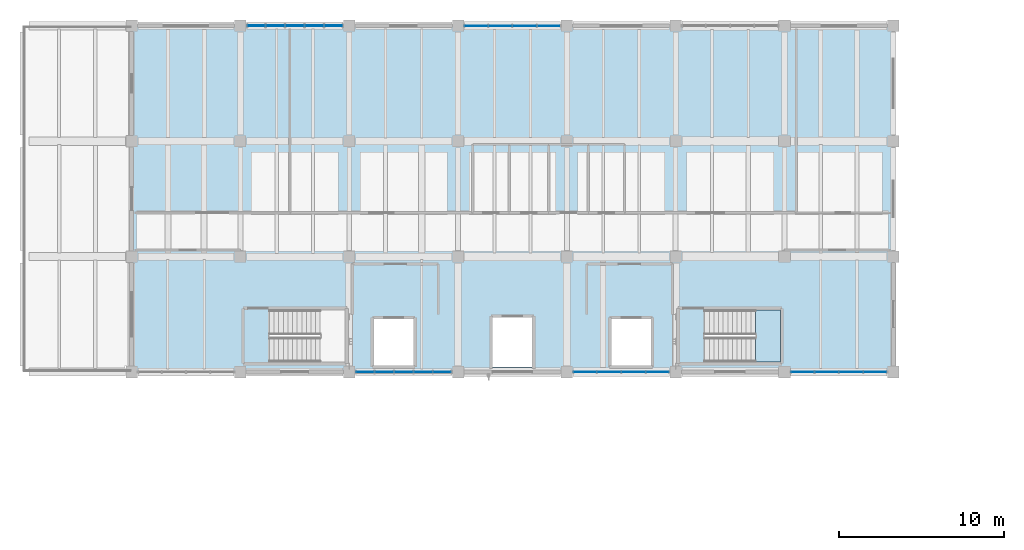
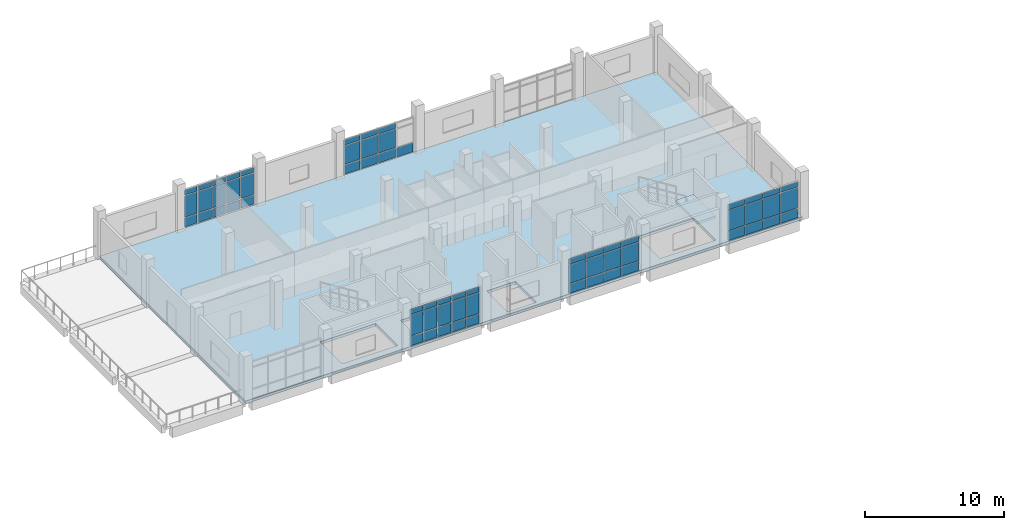
# One storey, part 9 of 20: 64 plates, 2 slabs, 6 elements without a shape of their own.
"""IFC4 building model written with IfcOpenShell, lengths in metres."""

import ifcopenshell
import ifcopenshell.guid

model = None  # the IFC model being written
_history = None  # IfcOwnerHistory: only IFC2X3 demands one
_inside = {}  # id of a spatial element -> (the spatial element, [elements in it])
_under = {}  # id of a project, library or spatial element -> (it, [spatial elements below it])
_declared = {}  # id of a project -> (the project, [libraries it declares])
_typed = {}  # id of a type object -> (the type object, [elements of that type])
_made_of = {}  # id of a material, layer set ... -> (it, [elements and type objects made of it])


def new_model(schema):
    """Start an empty IFC model of exactly this schema.

    Asked for "IFC4X3", IfcOpenShell would pick the latest addendum, in which some entities
    have other attributes; the version numbers below select the first issue.
    IFC2X3 requires an IfcOwnerHistory on every rooted entity: one is made here for all.
    """
    global model, _history
    if schema == "IFC4X3":
        model = ifcopenshell.file(schema_version=(4, 3, 0, 0))
    else:
        model = ifcopenshell.file(schema=schema)
    _inside.clear()
    _under.clear()
    _declared.clear()
    _typed.clear()
    _made_of.clear()
    _history = None
    if model.schema == "IFC2X3":
        org = make("IfcOrganization", Name="unknown")
        user = make(
            "IfcPersonAndOrganization",
            ThePerson=make("IfcPerson", FamilyName="unknown"),
            TheOrganization=org,
        )
        app = make(
            "IfcApplication",
            ApplicationDeveloper=org,
            Version="unknown",
            ApplicationFullName="unknown",
            ApplicationIdentifier="unknown",
        )
        _history = make(
            "IfcOwnerHistory",
            OwningUser=user,
            OwningApplication=app,
            ChangeAction="ADDED",
            CreationDate=0,
        )
    return model


def make(cls, **values):
    """One entity of the class cls with the attributes given. An attribute that is None is left unset."""
    return model.create_entity(
        cls, **{name: value for name, value in values.items() if value is not None}
    )


def rooted(cls, **values):
    """An entity with a GlobalId (a new one), such as an element, a storey or a relation."""
    return make(cls, GlobalId=ifcopenshell.guid.new(), OwnerHistory=_history, **values)


def si_unit(unit_type, name, prefix=None):
    """IfcSIUnit, for example si_unit("LENGTHUNIT", "METRE", prefix="MILLI")."""
    return make("IfcSIUnit", UnitType=unit_type, Prefix=prefix, Name=name)


def assignment(units):
    """IfcUnitAssignment: the units of a project."""
    return None if units is None else make("IfcUnitAssignment", Units=units)


def point(xyz):
    """IfcCartesianPoint."""
    return None if xyz is None else make("IfcCartesianPoint", Coordinates=xyz)


def direction(xyz):
    """IfcDirection."""
    return None if xyz is None else make("IfcDirection", DirectionRatios=xyz)


def frame(location, z_axis=None, x_axis=None):
    """IfcAxis2Placement3D, a coordinate frame: its origin and axes. An axis left out is left unset."""
    return make(
        "IfcAxis2Placement3D",
        Location=point(location),
        Axis=direction(z_axis),
        RefDirection=direction(x_axis),
    )


def frame_2d(location, x_axis=None):
    """IfcAxis2Placement2D, a coordinate frame in the plane: its origin and x axis."""
    return make(
        "IfcAxis2Placement2D", Location=point(location), RefDirection=direction(x_axis)
    )


def origin():
    """The frame at (0, 0, 0) with its axes left unset."""
    return frame((0.0, 0.0, 0.0))


def origin_2d():
    """The frame at (0, 0) in the plane with its x axis left unset."""
    return frame_2d((0.0, 0.0))


def place(relative_to, where):
    """IfcLocalPlacement: puts the frame where relative to a parent placement (None: the world)."""
    return make(
        "IfcLocalPlacement", PlacementRelTo=relative_to, RelativePlacement=where
    )


def context(
    kind, dimensions, precision=None, world=None, true_north=None, identifier=None
):
    """IfcGeometricRepresentationContext, for example the 3D "Model" context."""
    return make(
        "IfcGeometricRepresentationContext",
        ContextIdentifier=identifier,
        ContextType=kind,
        CoordinateSpaceDimension=dimensions,
        Precision=precision,
        WorldCoordinateSystem=world,
        TrueNorth=true_north,
    )


def subcontext(parent, identifier, kind, view, scale=None):
    """IfcGeometricRepresentationSubContext, for example "Body" below "Model"."""
    return make(
        "IfcGeometricRepresentationSubContext",
        ContextIdentifier=identifier,
        ContextType=kind,
        ParentContext=parent,
        TargetScale=scale,
        TargetView=view,
    )


def project(units=None, contexts=None):
    """IfcProject with its units and contexts."""
    return rooted(
        "IfcProject",
        Name="project",
        RepresentationContexts=contexts,
        UnitsInContext=assignment(units),
    )


def spatial(cls, under=None, at=None, **own):
    """A site, building, storey or space (cls), placed at a placement, below another one or the project."""
    s = rooted(cls, ObjectPlacement=at, **own)
    if under is not None:
        _under.setdefault(under.id(), (under, []))[1].append(s)
    return s


def polyline(points):
    """IfcPolyline through the points."""
    return make("IfcPolyline", Points=[point(p) for p in points])


def profile(cls, at=None, kind="AREA", **sizes):
    """A parametric profile (cls). Its sizes go by their IFC names, for example OverallWidth=200.0."""
    return make(cls, ProfileType=kind, Position=at, **sizes)


def rectangle(**sizes):
    """IfcRectangleProfileDef."""
    return profile("IfcRectangleProfileDef", **sizes)


def outline(outer, holes=None, kind="AREA"):
    """IfcArbitraryClosedProfileDef: a profile drawn as a closed curve; with holes, ...WithVoids."""
    if holes is None:
        return make("IfcArbitraryClosedProfileDef", ProfileType=kind, OuterCurve=outer)
    return make(
        "IfcArbitraryProfileDefWithVoids",
        ProfileType=kind,
        OuterCurve=outer,
        InnerCurves=holes,
    )


def extrude(swept, where, along, depth):
    """IfcExtrudedAreaSolid: the profile swept, set in the frame where, extruded along a direction by depth."""
    return make(
        "IfcExtrudedAreaSolid",
        SweptArea=swept,
        Position=where,
        ExtrudedDirection=direction(along),
        Depth=depth,
    )


def shape(context_of_items, identifier, shape_type, items):
    """IfcShapeRepresentation: the items that make up one representation, for example the "Body"."""
    return make(
        "IfcShapeRepresentation",
        ContextOfItems=context_of_items,
        RepresentationIdentifier=identifier,
        RepresentationType=shape_type,
        Items=items,
    )


def material(Name=None, Category=None):
    """IfcMaterial."""
    return make("IfcMaterial", Name=Name, Category=Category)


def layer(
    of_material, thickness, ventilated=None, Name=None, Category=None, Priority=None
):
    """IfcMaterialLayer: one layer of a wall or slab, of a material (None: an air gap)."""
    return make(
        "IfcMaterialLayer",
        Material=of_material,
        LayerThickness=thickness,
        IsVentilated=ventilated,
        Name=Name,
        Category=Category,
        Priority=Priority,
    )


def layer_set(layers, Name=None):
    """IfcMaterialLayerSet."""
    return make("IfcMaterialLayerSet", MaterialLayers=layers, LayerSetName=Name)


def made_of(thing, what):
    """Note that an element or type object is made of a material, layer set ...; save() writes the relation."""
    if what is not None:
        _made_of.setdefault(what.id(), (what, []))[1].append(thing)
    return thing


def type_object(cls, material=None, **own):
    """A type object (cls), such as IfcWallType, which elements share."""
    return made_of(rooted(cls, **own), material)


def element(
    cls,
    number,
    at=None,
    inside=None,
    cuts=None,
    type_object=None,
    material=None,
    context=None,
    identifier="Body",
    shape_type=None,
    held_by="IfcProductDefinitionShape",
    body=None,
    shapes=None,
    **own,
):
    """One element of the class cls, such as IfcWall. Its Tag is "e" and its number.

    at: its placement. inside: the storey or other place that contains it. cuts: it is an
    opening in that element (IfcRelVoidsElement). A single representation is given by context,
    identifier, shape_type and body (its items); several are given by shapes. held_by: the class
    of the entity that holds the representations. save() writes the other relations.
    """
    e = rooted(cls, Tag="e%d" % number, ObjectPlacement=at, **own)
    if body is not None:
        shapes = [shape(context, identifier, shape_type, body)]
    if shapes is not None:
        e.Representation = make(held_by, Representations=shapes)
    if inside is not None:
        _inside.setdefault(inside.id(), (inside, []))[1].append(e)
    if cuts is not None:
        rooted(
            "IfcRelVoidsElement", RelatingBuildingElement=cuts, RelatedOpeningElement=e
        )
    if type_object is not None:
        _typed.setdefault(type_object.id(), (type_object, []))[1].append(e)
    return made_of(e, material)


def aggregate(whole, parts):
    """IfcRelAggregates: a whole, such as a stair, and the parts it consists of."""
    return rooted("IfcRelAggregates", RelatingObject=whole, RelatedObjects=parts)


def save(model, path):
    """Write the relations noted so far, then the file.

    IfcRelAggregates (storeys below a building ...), IfcRelContainedInSpatialStructure (elements
    in a storey), IfcRelDefinesByType, IfcRelAssociatesMaterial and IfcRelDeclares: one each for
    every whole, place, type object, material and project.
    """
    for whole, parts in _under.values():
        aggregate(whole, parts)
    for where, things in _inside.values():
        rooted(
            "IfcRelContainedInSpatialStructure",
            RelatedElements=things,
            RelatingStructure=where,
        )
    for kind, things in _typed.values():
        rooted("IfcRelDefinesByType", RelatedObjects=things, RelatingType=kind)
    for what, things in _made_of.values():
        rooted("IfcRelAssociatesMaterial", RelatedObjects=things, RelatingMaterial=what)
    for by, libraries in _declared.values():
        rooted("IfcRelDeclares", RelatingContext=by, RelatedDefinitions=libraries)
    model.write(path)


model = new_model("IFC4")

# Units and contexts
model_context = context("Model", 3, precision=1e-05, world=origin(), true_north=direction((0.0, 1.0)))
body_context = subcontext(model_context, "Body", "Model", "MODEL_VIEW")
ifc_project = project(units=[si_unit("LENGTHUNIT", "METRE"), si_unit("AREAUNIT", "SQUARE_METRE"), si_unit("VOLUMEUNIT", "CUBIC_METRE"), si_unit("PLANEANGLEUNIT", "RADIAN"), si_unit("MASSUNIT", "GRAM", prefix="KILO")], contexts=[model_context])

# Site, building, storey
site_placement = place(None, origin())
site = spatial("IfcSite", under=ifc_project, at=site_placement, CompositionType="ELEMENT")
building_placement = place(site_placement, origin())
building = spatial("IfcBuilding", under=site, at=building_placement, Name="Ciguamira Faculty of Natural Sciences", CompositionType="ELEMENT")
storey_placement = place(building_placement, frame((0.0, 0.0, 21.0)))
storey = spatial("IfcBuildingStorey", under=building, at=storey_placement, Name="L05", CompositionType="ELEMENT", Elevation=21.0)

# Curtain wall, plates
ifc_material_1 = material(Name="Anodized aluminium curtain wall", Category="aluminium")
curtain_wall_type_1 = type_object("IfcCurtainWallType", Name="CurtainWall_CW-03", PredefinedType="USERDEFINED", material=ifc_material_1)
curtain_wall_1_placement = place(storey_placement, origin())
curtain_wall_1 = element("IfcCurtainWall", 1, at=curtain_wall_1_placement, inside=storey, type_object=curtain_wall_type_1, Name="L05 unitised curtain wall 0135", ObjectType="UNITISED CURTAIN WALL", PredefinedType="USERDEFINED")
ifc_material_2 = material(Name="Low-E laminated solar glass", Category="glass")
ifc_layer_1 = layer(ifc_material_2, 0.028076171875, Name="Low-E laminated solar glass")
ifc_layer_set_1 = layer_set([ifc_layer_1], Name="Low-E laminated solar glass")
plate_type_1 = type_object("IfcPlateType", Name="CWPanel_CWP-01", PredefinedType="CURTAIN_PANEL", material=ifc_layer_set_1)
plate_1_placement = place(storey_placement, frame((78.06005859375, 94.0, 0.080078125), z_axis=(0.0, 0.0, 1.0), x_axis=(1.0, 0.0, 0.0)))
plate_1 = element("IfcPlate", 2, at=plate_1_placement, type_object=plate_type_1, Name="CW-03 panel 1.1", PredefinedType="CURTAIN_PANEL", context=body_context, shape_type="SweptSolid", body=[
    extrude(rectangle(XDim=1.06005859375, YDim=0.028076171875, at=origin_2d()), origin(), (0.0, 0.0, 1.0), 0.780029296875),
])
plate_2_placement = place(storey_placement, frame((78.06005859375, 94.0, 0.93994140625), z_axis=(0.0, 0.0, 1.0), x_axis=(1.0, 0.0, 0.0)))
plate_2 = element("IfcPlate", 3, at=plate_2_placement, type_object=plate_type_1, Name="CW-03 panel 1.2", PredefinedType="CURTAIN_PANEL", context=body_context, shape_type="SweptSolid", body=[
    extrude(rectangle(XDim=1.06005859375, YDim=0.028076171875, at=origin_2d()), origin(), (0.0, 0.0, 1.0), 1.81494140625),
])
plate_3_placement = place(storey_placement, frame((78.06005859375, 94.0, 2.8349609375), z_axis=(0.0, 0.0, 1.0), x_axis=(1.0, 0.0, 0.0)))
plate_3 = element("IfcPlate", 4, at=plate_3_placement, type_object=plate_type_1, Name="CW-03 panel 1.3", PredefinedType="CURTAIN_PANEL", context=body_context, shape_type="SweptSolid", body=[
    extrude(rectangle(XDim=1.06005859375, YDim=0.028076171875, at=origin_2d()), origin(), (0.0, 0.0, 1.0), 0.429931640625),
])
plate_4_placement = place(storey_placement, frame((79.219970703125, 94.0, 0.080078125), z_axis=(0.0, 0.0, 1.0), x_axis=(1.0, 0.0, 0.0)))
plate_4 = element("IfcPlate", 5, at=plate_4_placement, type_object=plate_type_1, Name="CW-03 panel 2.1", PredefinedType="CURTAIN_PANEL", context=body_context, shape_type="SweptSolid", body=[
    extrude(rectangle(XDim=1.10009765625, YDim=0.028076171875, at=origin_2d()), origin(), (0.0, 0.0, 1.0), 0.780029296875),
])
plate_5_placement = place(storey_placement, frame((79.219970703125, 94.0, 0.93994140625), z_axis=(0.0, 0.0, 1.0), x_axis=(1.0, 0.0, 0.0)))
plate_5 = element("IfcPlate", 6, at=plate_5_placement, type_object=plate_type_1, Name="CW-03 panel 2.2", PredefinedType="CURTAIN_PANEL", context=body_context, shape_type="SweptSolid", body=[
    extrude(rectangle(XDim=1.10009765625, YDim=0.028076171875, at=origin_2d()), origin(), (0.0, 0.0, 1.0), 1.81494140625),
])
plate_6_placement = place(storey_placement, frame((79.219970703125, 94.0, 2.8349609375), z_axis=(0.0, 0.0, 1.0), x_axis=(1.0, 0.0, 0.0)))
plate_6 = element("IfcPlate", 7, at=plate_6_placement, type_object=plate_type_1, Name="CW-03 panel 2.3", PredefinedType="CURTAIN_PANEL", context=body_context, shape_type="SweptSolid", body=[
    extrude(rectangle(XDim=1.10009765625, YDim=0.028076171875, at=origin_2d()), origin(), (0.0, 0.0, 1.0), 0.429931640625),
])
plate_7_placement = place(storey_placement, frame((80.39990234375, 94.0, 0.080078125), z_axis=(0.0, 0.0, 1.0), x_axis=(1.0, 0.0, 0.0)))
plate_7 = element("IfcPlate", 8, at=plate_7_placement, type_object=plate_type_1, Name="CW-03 panel 3.1", PredefinedType="CURTAIN_PANEL", context=body_context, shape_type="SweptSolid", body=[
    extrude(rectangle(XDim=1.10009765625, YDim=0.028076171875, at=origin_2d()), origin(), (0.0, 0.0, 1.0), 0.780029296875),
])
plate_8_placement = place(storey_placement, frame((80.39990234375, 94.0, 0.93994140625), z_axis=(0.0, 0.0, 1.0), x_axis=(1.0, 0.0, 0.0)))
plate_8 = element("IfcPlate", 9, at=plate_8_placement, type_object=plate_type_1, Name="CW-03 panel 3.2", PredefinedType="CURTAIN_PANEL", context=body_context, shape_type="SweptSolid", body=[
    extrude(rectangle(XDim=1.10009765625, YDim=0.028076171875, at=origin_2d()), origin(), (0.0, 0.0, 1.0), 1.81494140625),
])
plate_9_placement = place(storey_placement, frame((80.39990234375, 94.0, 2.8349609375), z_axis=(0.0, 0.0, 1.0), x_axis=(1.0, 0.0, 0.0)))
plate_9 = element("IfcPlate", 10, at=plate_9_placement, type_object=plate_type_1, Name="CW-03 panel 3.3", PredefinedType="CURTAIN_PANEL", context=body_context, shape_type="SweptSolid", body=[
    extrude(rectangle(XDim=1.10009765625, YDim=0.028076171875, at=origin_2d()), origin(), (0.0, 0.0, 1.0), 0.429931640625),
])
plate_10_placement = place(storey_placement, frame((81.580078125, 94.0, 0.080078125), z_axis=(0.0, 0.0, 1.0), x_axis=(1.0, 0.0, 0.0)))
plate_10 = element("IfcPlate", 11, at=plate_10_placement, type_object=plate_type_1, Name="CW-03 panel 4.1", PredefinedType="CURTAIN_PANEL", context=body_context, shape_type="SweptSolid", body=[
    extrude(rectangle(XDim=1.10009765625, YDim=0.028076171875, at=origin_2d()), origin(), (0.0, 0.0, 1.0), 0.780029296875),
])
plate_11_placement = place(storey_placement, frame((81.580078125, 94.0, 0.93994140625), z_axis=(0.0, 0.0, 1.0), x_axis=(1.0, 0.0, 0.0)))
plate_11 = element("IfcPlate", 12, at=plate_11_placement, type_object=plate_type_1, Name="CW-03 panel 4.2", PredefinedType="CURTAIN_PANEL", context=body_context, shape_type="SweptSolid", body=[
    extrude(rectangle(XDim=1.10009765625, YDim=0.028076171875, at=origin_2d()), origin(), (0.0, 0.0, 1.0), 1.81494140625),
])
plate_12_placement = place(storey_placement, frame((81.580078125, 94.0, 2.8349609375), z_axis=(0.0, 0.0, 1.0), x_axis=(1.0, 0.0, 0.0)))
plate_12 = element("IfcPlate", 13, at=plate_12_placement, type_object=plate_type_1, Name="CW-03 panel 4.3", PredefinedType="CURTAIN_PANEL", context=body_context, shape_type="SweptSolid", body=[
    extrude(rectangle(XDim=1.10009765625, YDim=0.028076171875, at=origin_2d()), origin(), (0.0, 0.0, 1.0), 0.429931640625),
])
plate_13_placement = place(storey_placement, frame((82.739990234375, 94.0, 0.080078125), z_axis=(0.0, 0.0, 1.0), x_axis=(1.0, 0.0, 0.0)))
plate_13 = element("IfcPlate", 14, at=plate_13_placement, type_object=plate_type_1, Name="CW-03 panel 5.1", PredefinedType="CURTAIN_PANEL", context=body_context, shape_type="SweptSolid", body=[
    extrude(rectangle(XDim=1.06005859375, YDim=0.028076171875, at=origin_2d()), origin(), (0.0, 0.0, 1.0), 0.780029296875),
])
plate_14_placement = place(storey_placement, frame((82.739990234375, 94.0, 0.93994140625), z_axis=(0.0, 0.0, 1.0), x_axis=(1.0, 0.0, 0.0)))
plate_14 = element("IfcPlate", 15, at=plate_14_placement, type_object=plate_type_1, Name="CW-03 panel 5.2", PredefinedType="CURTAIN_PANEL", context=body_context, shape_type="SweptSolid", body=[
    extrude(rectangle(XDim=1.06005859375, YDim=0.028076171875, at=origin_2d()), origin(), (0.0, 0.0, 1.0), 1.81494140625),
])
plate_15_placement = place(storey_placement, frame((82.739990234375, 94.0, 2.8349609375), z_axis=(0.0, 0.0, 1.0), x_axis=(1.0, 0.0, 0.0)))
plate_15 = element("IfcPlate", 16, at=plate_15_placement, type_object=plate_type_1, Name="CW-03 panel 5.3", PredefinedType="CURTAIN_PANEL", context=body_context, shape_type="SweptSolid", body=[
    extrude(rectangle(XDim=1.06005859375, YDim=0.028076171875, at=origin_2d()), origin(), (0.0, 0.0, 1.0), 0.429931640625),
])
aggregate(curtain_wall_1, [plate_1, plate_2, plate_3, plate_4, plate_5, plate_6, plate_7, plate_8, plate_9, plate_10, plate_11, plate_12, plate_13, plate_14, plate_15])

curtain_wall_type_2 = type_object("IfcCurtainWallType", Name="CurtainWall_CW-05", PredefinedType="USERDEFINED", material=ifc_material_1)
curtain_wall_2_placement = place(storey_placement, origin())
curtain_wall_2 = element("IfcCurtainWall", 17, at=curtain_wall_2_placement, inside=storey, type_object=curtain_wall_type_2, Name="L05 unitised curtain wall 0137", ObjectType="UNITISED CURTAIN WALL", PredefinedType="USERDEFINED")
plate_16_placement = place(storey_placement, frame((104.60498046875, 94.0, 0.070068359375), z_axis=(0.0, 0.0, 1.0), x_axis=(1.0, 0.0, 0.0)))
plate_16 = element("IfcPlate", 18, at=plate_16_placement, type_object=plate_type_1, Name="CW-05 panel 1.1", PredefinedType="CURTAIN_PANEL", context=body_context, shape_type="SweptSolid", body=[
    extrude(rectangle(XDim=1.3701171875, YDim=0.028076171875, at=origin_2d()), origin(), (0.0, 0.0, 1.0), 0.794921875),
])
plate_17_placement = place(storey_placement, frame((104.60498046875, 94.0, 0.93505859375), z_axis=(0.0, 0.0, 1.0), x_axis=(1.0, 0.0, 0.0)))
plate_17 = element("IfcPlate", 19, at=plate_17_placement, type_object=plate_type_1, Name="CW-05 panel 1.2", PredefinedType="CURTAIN_PANEL", context=body_context, shape_type="SweptSolid", body=[
    extrude(rectangle(XDim=1.3701171875, YDim=0.028076171875, at=origin_2d()), origin(), (0.0, 0.0, 1.0), 1.764892578125),
])
plate_18_placement = place(storey_placement, frame((104.60498046875, 94.0, 2.77001953125), z_axis=(0.0, 0.0, 1.0), x_axis=(1.0, 0.0, 0.0)))
plate_18 = element("IfcPlate", 20, at=plate_18_placement, type_object=plate_type_1, Name="CW-05 panel 1.3", PredefinedType="CURTAIN_PANEL", context=body_context, shape_type="SweptSolid", body=[
    extrude(rectangle(XDim=1.3701171875, YDim=0.028076171875, at=origin_2d()), origin(), (0.0, 0.0, 1.0), 0.445068359375),
])
plate_19_placement = place(storey_placement, frame((106.0625, 94.0, 0.070068359375), z_axis=(0.0, 0.0, 1.0), x_axis=(1.0, 0.0, 0.0)))
plate_19 = element("IfcPlate", 21, at=plate_19_placement, type_object=plate_type_1, Name="CW-05 panel 2.1", PredefinedType="CURTAIN_PANEL", context=body_context, shape_type="SweptSolid", body=[
    extrude(rectangle(XDim=1.405029296875, YDim=0.028076171875, at=origin_2d()), origin(), (0.0, 0.0, 1.0), 0.794921875),
])
plate_20_placement = place(storey_placement, frame((106.0625, 94.0, 0.93505859375), z_axis=(0.0, 0.0, 1.0), x_axis=(1.0, 0.0, 0.0)))
plate_20 = element("IfcPlate", 22, at=plate_20_placement, type_object=plate_type_1, Name="CW-05 panel 2.2", PredefinedType="CURTAIN_PANEL", context=body_context, shape_type="SweptSolid", body=[
    extrude(rectangle(XDim=1.405029296875, YDim=0.028076171875, at=origin_2d()), origin(), (0.0, 0.0, 1.0), 1.764892578125),
])
plate_21_placement = place(storey_placement, frame((106.0625, 94.0, 2.77001953125), z_axis=(0.0, 0.0, 1.0), x_axis=(1.0, 0.0, 0.0)))
plate_21 = element("IfcPlate", 23, at=plate_21_placement, type_object=plate_type_1, Name="CW-05 panel 2.3", PredefinedType="CURTAIN_PANEL", context=body_context, shape_type="SweptSolid", body=[
    extrude(rectangle(XDim=1.405029296875, YDim=0.028076171875, at=origin_2d()), origin(), (0.0, 0.0, 1.0), 0.445068359375),
])
plate_22_placement = place(storey_placement, frame((107.53759765625, 94.0, 0.070068359375), z_axis=(0.0, 0.0, 1.0), x_axis=(1.0, 0.0, 0.0)))
plate_22 = element("IfcPlate", 24, at=plate_22_placement, type_object=plate_type_1, Name="CW-05 panel 3.1", PredefinedType="CURTAIN_PANEL", context=body_context, shape_type="SweptSolid", body=[
    extrude(rectangle(XDim=1.405029296875, YDim=0.028076171875, at=origin_2d()), origin(), (0.0, 0.0, 1.0), 0.794921875),
])
plate_23_placement = place(storey_placement, frame((107.53759765625, 94.0, 0.93505859375), z_axis=(0.0, 0.0, 1.0), x_axis=(1.0, 0.0, 0.0)))
plate_23 = element("IfcPlate", 25, at=plate_23_placement, type_object=plate_type_1, Name="CW-05 panel 3.2", PredefinedType="CURTAIN_PANEL", context=body_context, shape_type="SweptSolid", body=[
    extrude(rectangle(XDim=1.405029296875, YDim=0.028076171875, at=origin_2d()), origin(), (0.0, 0.0, 1.0), 1.764892578125),
])
plate_24_placement = place(storey_placement, frame((107.53759765625, 94.0, 2.77001953125), z_axis=(0.0, 0.0, 1.0), x_axis=(1.0, 0.0, 0.0)))
plate_24 = element("IfcPlate", 26, at=plate_24_placement, type_object=plate_type_1, Name="CW-05 panel 3.3", PredefinedType="CURTAIN_PANEL", context=body_context, shape_type="SweptSolid", body=[
    extrude(rectangle(XDim=1.405029296875, YDim=0.028076171875, at=origin_2d()), origin(), (0.0, 0.0, 1.0), 0.445068359375),
])
plate_25_placement = place(storey_placement, frame((108.9951171875, 94.0, 0.070068359375), z_axis=(0.0, 0.0, 1.0), x_axis=(1.0, 0.0, 0.0)))
plate_25 = element("IfcPlate", 27, at=plate_25_placement, type_object=plate_type_1, Name="CW-05 panel 4.1", PredefinedType="CURTAIN_PANEL", context=body_context, shape_type="SweptSolid", body=[
    extrude(rectangle(XDim=1.3701171875, YDim=0.028076171875, at=origin_2d()), origin(), (0.0, 0.0, 1.0), 0.794921875),
])
plate_26_placement = place(storey_placement, frame((108.9951171875, 94.0, 0.93505859375), z_axis=(0.0, 0.0, 1.0), x_axis=(1.0, 0.0, 0.0)))
plate_26 = element("IfcPlate", 28, at=plate_26_placement, type_object=plate_type_1, Name="CW-05 panel 4.2", PredefinedType="CURTAIN_PANEL", context=body_context, shape_type="SweptSolid", body=[
    extrude(rectangle(XDim=1.3701171875, YDim=0.028076171875, at=origin_2d()), origin(), (0.0, 0.0, 1.0), 1.764892578125),
])
plate_27_placement = place(storey_placement, frame((108.9951171875, 94.0, 2.77001953125), z_axis=(0.0, 0.0, 1.0), x_axis=(1.0, 0.0, 0.0)))
plate_27 = element("IfcPlate", 29, at=plate_27_placement, type_object=plate_type_1, Name="CW-05 panel 4.3", PredefinedType="CURTAIN_PANEL", context=body_context, shape_type="SweptSolid", body=[
    extrude(rectangle(XDim=1.3701171875, YDim=0.028076171875, at=origin_2d()), origin(), (0.0, 0.0, 1.0), 0.445068359375),
])
aggregate(curtain_wall_2, [plate_16, plate_17, plate_18, plate_19, plate_20, plate_21, plate_22, plate_23, plate_24, plate_25, plate_26, plate_27])

curtain_wall_type_3 = type_object("IfcCurtainWallType", Name="CurtainWall_CW-07", PredefinedType="USERDEFINED", material=ifc_material_1)
curtain_wall_3_placement = place(storey_placement, origin())
curtain_wall_3 = element("IfcCurtainWall", 30, at=curtain_wall_3_placement, inside=storey, type_object=curtain_wall_type_3, Name="L05 unitised curtain wall 0139", ObjectType="UNITISED CURTAIN WALL", PredefinedType="USERDEFINED")
plate_28_placement = place(storey_placement, frame((84.802490234375, 115.0, 0.06005859375), z_axis=(0.0, 0.0, 1.0), x_axis=(1.0, 0.0, 0.0)))
plate_28 = element("IfcPlate", 31, at=plate_28_placement, type_object=plate_type_1, Name="CW-07 panel 1.1", PredefinedType="CURTAIN_PANEL", context=body_context, shape_type="SweptSolid", body=[
    extrude(rectangle(XDim=1.385009765625, YDim=0.028076171875, at=origin_2d()), origin(), (0.0, 0.0, 1.0), 0.81005859375),
])
plate_29_placement = place(storey_placement, frame((84.802490234375, 115.0, 0.929931640625), z_axis=(0.0, 0.0, 1.0), x_axis=(1.0, 0.0, 0.0)))
plate_29 = element("IfcPlate", 32, at=plate_29_placement, type_object=plate_type_1, Name="CW-07 panel 1.2", PredefinedType="CURTAIN_PANEL", context=body_context, shape_type="SweptSolid", body=[
    extrude(rectangle(XDim=1.385009765625, YDim=0.028076171875, at=origin_2d()), origin(), (0.0, 0.0, 1.0), 1.625),
])
plate_30_placement = place(storey_placement, frame((84.802490234375, 115.0, 2.614990234375), z_axis=(0.0, 0.0, 1.0), x_axis=(1.0, 0.0, 0.0)))
plate_30 = element("IfcPlate", 33, at=plate_30_placement, type_object=plate_type_1, Name="CW-07 panel 1.3", PredefinedType="CURTAIN_PANEL", context=body_context, shape_type="SweptSolid", body=[
    extrude(rectangle(XDim=1.385009765625, YDim=0.028076171875, at=origin_2d()), origin(), (0.0, 0.0, 1.0), 0.4599609375),
])
plate_31_placement = place(storey_placement, frame((86.262451171875, 115.0, 0.06005859375), z_axis=(0.0, 0.0, 1.0), x_axis=(1.0, 0.0, 0.0)))
plate_31 = element("IfcPlate", 34, at=plate_31_placement, type_object=plate_type_1, Name="CW-07 panel 2.1", PredefinedType="CURTAIN_PANEL", context=body_context, shape_type="SweptSolid", body=[
    extrude(rectangle(XDim=1.4150390625, YDim=0.028076171875, at=origin_2d()), origin(), (0.0, 0.0, 1.0), 0.81005859375),
])
plate_32_placement = place(storey_placement, frame((86.262451171875, 115.0, 0.929931640625), z_axis=(0.0, 0.0, 1.0), x_axis=(1.0, 0.0, 0.0)))
plate_32 = element("IfcPlate", 35, at=plate_32_placement, type_object=plate_type_1, Name="CW-07 panel 2.2", PredefinedType="CURTAIN_PANEL", context=body_context, shape_type="SweptSolid", body=[
    extrude(rectangle(XDim=1.4150390625, YDim=0.028076171875, at=origin_2d()), origin(), (0.0, 0.0, 1.0), 1.625),
])
plate_33_placement = place(storey_placement, frame((86.262451171875, 115.0, 2.614990234375), z_axis=(0.0, 0.0, 1.0), x_axis=(1.0, 0.0, 0.0)))
plate_33 = element("IfcPlate", 36, at=plate_33_placement, type_object=plate_type_1, Name="CW-07 panel 2.3", PredefinedType="CURTAIN_PANEL", context=body_context, shape_type="SweptSolid", body=[
    extrude(rectangle(XDim=1.4150390625, YDim=0.028076171875, at=origin_2d()), origin(), (0.0, 0.0, 1.0), 0.4599609375),
])
plate_34_placement = place(storey_placement, frame((87.737548828125, 115.0, 0.06005859375), z_axis=(0.0, 0.0, 1.0), x_axis=(1.0, 0.0, 0.0)))
plate_34 = element("IfcPlate", 37, at=plate_34_placement, type_object=plate_type_1, Name="CW-07 panel 3.1", PredefinedType="CURTAIN_PANEL", context=body_context, shape_type="SweptSolid", body=[
    extrude(rectangle(XDim=1.4150390625, YDim=0.028076171875, at=origin_2d()), origin(), (0.0, 0.0, 1.0), 0.81005859375),
])
plate_35_placement = place(storey_placement, frame((87.737548828125, 115.0, 0.929931640625), z_axis=(0.0, 0.0, 1.0), x_axis=(1.0, 0.0, 0.0)))
plate_35 = element("IfcPlate", 38, at=plate_35_placement, type_object=plate_type_1, Name="CW-07 panel 3.2", PredefinedType="CURTAIN_PANEL", context=body_context, shape_type="SweptSolid", body=[
    extrude(rectangle(XDim=1.4150390625, YDim=0.028076171875, at=origin_2d()), origin(), (0.0, 0.0, 1.0), 1.625),
])
plate_36_placement = place(storey_placement, frame((87.737548828125, 115.0, 2.614990234375), z_axis=(0.0, 0.0, 1.0), x_axis=(1.0, 0.0, 0.0)))
plate_36 = element("IfcPlate", 39, at=plate_36_placement, type_object=plate_type_1, Name="CW-07 panel 3.3", PredefinedType="CURTAIN_PANEL", context=body_context, shape_type="SweptSolid", body=[
    extrude(rectangle(XDim=1.4150390625, YDim=0.028076171875, at=origin_2d()), origin(), (0.0, 0.0, 1.0), 0.4599609375),
])
plate_37_placement = place(storey_placement, frame((89.197509765625, 115.0, 0.06005859375), z_axis=(0.0, 0.0, 1.0), x_axis=(1.0, 0.0, 0.0)))
plate_37 = element("IfcPlate", 40, at=plate_37_placement, type_object=plate_type_1, Name="CW-07 panel 4.1", PredefinedType="CURTAIN_PANEL", context=body_context, shape_type="SweptSolid", body=[
    extrude(rectangle(XDim=1.385009765625, YDim=0.028076171875, at=origin_2d()), origin(), (0.0, 0.0, 1.0), 0.81005859375),
])
aggregate(curtain_wall_3, [plate_28, plate_29, plate_30, plate_31, plate_32, plate_33, plate_34, plate_35, plate_36, plate_37])

curtain_wall_type_4 = type_object("IfcCurtainWallType", Name="CurtainWall_CW-04", PredefinedType="USERDEFINED", material=ifc_material_1)
curtain_wall_4_placement = place(storey_placement, origin())
curtain_wall_4 = element("IfcCurtainWall", 41, at=curtain_wall_4_placement, inside=storey, type_object=curtain_wall_type_4, Name="L05 unitised curtain wall 0136", ObjectType="UNITISED CURTAIN WALL", PredefinedType="USERDEFINED")
ifc_layer_2 = layer(ifc_material_2, 0.035888671875, Name="Low-E laminated solar glass")
ifc_layer_set_2 = layer_set([ifc_layer_2], Name="Low-E laminated solar glass")
plate_type_2 = type_object("IfcPlateType", Name="CWPanel_CWP-02", PredefinedType="CURTAIN_PANEL", material=ifc_layer_set_2)
plate_38_placement = place(storey_placement, frame((91.402587890625, 94.0, 0.06005859375), z_axis=(0.0, 0.0, 1.0), x_axis=(1.0, 0.0, 0.0)))
plate_38 = element("IfcPlate", 42, at=plate_38_placement, type_object=plate_type_2, Name="CW-04 panel 1.1", PredefinedType="CURTAIN_PANEL", context=body_context, shape_type="SweptSolid", body=[
    extrude(rectangle(XDim=1.385009765625, YDim=0.035888671875, at=origin_2d()), origin(), (0.0, 0.0, 1.0), 0.81005859375),
])
plate_39_placement = place(storey_placement, frame((91.402587890625, 94.0, 0.929931640625), z_axis=(0.0, 0.0, 1.0), x_axis=(1.0, 0.0, 0.0)))
plate_39 = element("IfcPlate", 43, at=plate_39_placement, type_object=plate_type_2, Name="CW-04 panel 1.2", PredefinedType="CURTAIN_PANEL", context=body_context, shape_type="SweptSolid", body=[
    extrude(rectangle(XDim=1.385009765625, YDim=0.035888671875, at=origin_2d()), origin(), (0.0, 0.0, 1.0), 1.625),
])
plate_40_placement = place(storey_placement, frame((91.402587890625, 94.0, 2.614990234375), z_axis=(0.0, 0.0, 1.0), x_axis=(1.0, 0.0, 0.0)))
plate_40 = element("IfcPlate", 44, at=plate_40_placement, type_object=plate_type_2, Name="CW-04 panel 1.3", PredefinedType="CURTAIN_PANEL", context=body_context, shape_type="SweptSolid", body=[
    extrude(rectangle(XDim=1.385009765625, YDim=0.035888671875, at=origin_2d()), origin(), (0.0, 0.0, 1.0), 0.4599609375),
])
plate_41_placement = place(storey_placement, frame((92.862548828125, 94.0, 0.06005859375), z_axis=(0.0, 0.0, 1.0), x_axis=(1.0, 0.0, 0.0)))
plate_41 = element("IfcPlate", 45, at=plate_41_placement, type_object=plate_type_2, Name="CW-04 panel 2.1", PredefinedType="CURTAIN_PANEL", context=body_context, shape_type="SweptSolid", body=[
    extrude(rectangle(XDim=1.4150390625, YDim=0.035888671875, at=origin_2d()), origin(), (0.0, 0.0, 1.0), 0.81005859375),
])
plate_42_placement = place(storey_placement, frame((92.862548828125, 94.0, 0.929931640625), z_axis=(0.0, 0.0, 1.0), x_axis=(1.0, 0.0, 0.0)))
plate_42 = element("IfcPlate", 46, at=plate_42_placement, type_object=plate_type_2, Name="CW-04 panel 2.2", PredefinedType="CURTAIN_PANEL", context=body_context, shape_type="SweptSolid", body=[
    extrude(rectangle(XDim=1.4150390625, YDim=0.035888671875, at=origin_2d()), origin(), (0.0, 0.0, 1.0), 1.625),
])
plate_43_placement = place(storey_placement, frame((92.862548828125, 94.0, 2.614990234375), z_axis=(0.0, 0.0, 1.0), x_axis=(1.0, 0.0, 0.0)))
plate_43 = element("IfcPlate", 47, at=plate_43_placement, type_object=plate_type_2, Name="CW-04 panel 2.3", PredefinedType="CURTAIN_PANEL", context=body_context, shape_type="SweptSolid", body=[
    extrude(rectangle(XDim=1.4150390625, YDim=0.035888671875, at=origin_2d()), origin(), (0.0, 0.0, 1.0), 0.4599609375),
])
plate_44_placement = place(storey_placement, frame((94.33740234375, 94.0, 0.06005859375), z_axis=(0.0, 0.0, 1.0), x_axis=(1.0, 0.0, 0.0)))
plate_44 = element("IfcPlate", 48, at=plate_44_placement, type_object=plate_type_2, Name="CW-04 panel 3.1", PredefinedType="CURTAIN_PANEL", context=body_context, shape_type="SweptSolid", body=[
    extrude(rectangle(XDim=1.4150390625, YDim=0.035888671875, at=origin_2d()), origin(), (0.0, 0.0, 1.0), 0.81005859375),
])
plate_45_placement = place(storey_placement, frame((94.33740234375, 94.0, 0.929931640625), z_axis=(0.0, 0.0, 1.0), x_axis=(1.0, 0.0, 0.0)))
plate_45 = element("IfcPlate", 49, at=plate_45_placement, type_object=plate_type_2, Name="CW-04 panel 3.2", PredefinedType="CURTAIN_PANEL", context=body_context, shape_type="SweptSolid", body=[
    extrude(rectangle(XDim=1.4150390625, YDim=0.035888671875, at=origin_2d()), origin(), (0.0, 0.0, 1.0), 1.625),
])
plate_46_placement = place(storey_placement, frame((94.33740234375, 94.0, 2.614990234375), z_axis=(0.0, 0.0, 1.0), x_axis=(1.0, 0.0, 0.0)))
plate_46 = element("IfcPlate", 50, at=plate_46_placement, type_object=plate_type_2, Name="CW-04 panel 3.3", PredefinedType="CURTAIN_PANEL", context=body_context, shape_type="SweptSolid", body=[
    extrude(rectangle(XDim=1.4150390625, YDim=0.035888671875, at=origin_2d()), origin(), (0.0, 0.0, 1.0), 0.4599609375),
])
plate_47_placement = place(storey_placement, frame((95.797607421875, 94.0, 0.06005859375), z_axis=(0.0, 0.0, 1.0), x_axis=(1.0, 0.0, 0.0)))
plate_47 = element("IfcPlate", 51, at=plate_47_placement, type_object=plate_type_2, Name="CW-04 panel 4.1", PredefinedType="CURTAIN_PANEL", context=body_context, shape_type="SweptSolid", body=[
    extrude(rectangle(XDim=1.385009765625, YDim=0.035888671875, at=origin_2d()), origin(), (0.0, 0.0, 1.0), 0.81005859375),
])
plate_48_placement = place(storey_placement, frame((95.797607421875, 94.0, 0.929931640625), z_axis=(0.0, 0.0, 1.0), x_axis=(1.0, 0.0, 0.0)))
plate_48 = element("IfcPlate", 52, at=plate_48_placement, type_object=plate_type_2, Name="CW-04 panel 4.2", PredefinedType="CURTAIN_PANEL", context=body_context, shape_type="SweptSolid", body=[
    extrude(rectangle(XDim=1.385009765625, YDim=0.035888671875, at=origin_2d()), origin(), (0.0, 0.0, 1.0), 1.625),
])
plate_49_placement = place(storey_placement, frame((95.797607421875, 94.0, 2.614990234375), z_axis=(0.0, 0.0, 1.0), x_axis=(1.0, 0.0, 0.0)))
plate_49 = element("IfcPlate", 53, at=plate_49_placement, type_object=plate_type_2, Name="CW-04 panel 4.3", PredefinedType="CURTAIN_PANEL", context=body_context, shape_type="SweptSolid", body=[
    extrude(rectangle(XDim=1.385009765625, YDim=0.035888671875, at=origin_2d()), origin(), (0.0, 0.0, 1.0), 0.4599609375),
])
aggregate(curtain_wall_4, [plate_38, plate_39, plate_40, plate_41, plate_42, plate_43, plate_44, plate_45, plate_46, plate_47, plate_48, plate_49])

curtain_wall_type_5 = type_object("IfcCurtainWallType", Name="CurtainWall_CW-06", PredefinedType="USERDEFINED", material=ifc_material_1)
curtain_wall_5_placement = place(storey_placement, origin())
curtain_wall_5 = element("IfcCurtainWall", 54, at=curtain_wall_5_placement, inside=storey, type_object=curtain_wall_type_5, Name="L05 unitised curtain wall 0138", ObjectType="UNITISED CURTAIN WALL", PredefinedType="USERDEFINED")
plate_50_placement = place(storey_placement, frame((71.4599609375, 115.0, 0.080078125), z_axis=(0.0, 0.0, 1.0), x_axis=(1.0, 0.0, 0.0)))
plate_50 = element("IfcPlate", 55, at=plate_50_placement, type_object=plate_type_2, Name="CW-06 panel 1.1", PredefinedType="CURTAIN_PANEL", context=body_context, shape_type="SweptSolid", body=[
    extrude(rectangle(XDim=1.06005859375, YDim=0.035888671875, at=origin_2d()), origin(), (0.0, 0.0, 1.0), 0.780029296875),
])
plate_51_placement = place(storey_placement, frame((71.4599609375, 115.0, 0.93994140625), z_axis=(0.0, 0.0, 1.0), x_axis=(1.0, 0.0, 0.0)))
plate_51 = element("IfcPlate", 56, at=plate_51_placement, type_object=plate_type_2, Name="CW-06 panel 1.2", PredefinedType="CURTAIN_PANEL", context=body_context, shape_type="SweptSolid", body=[
    extrude(rectangle(XDim=1.06005859375, YDim=0.035888671875, at=origin_2d()), origin(), (0.0, 0.0, 1.0), 1.85498046875),
])
plate_52_placement = place(storey_placement, frame((71.4599609375, 115.0, 2.875), z_axis=(0.0, 0.0, 1.0), x_axis=(1.0, 0.0, 0.0)))
plate_52 = element("IfcPlate", 57, at=plate_52_placement, type_object=plate_type_2, Name="CW-06 panel 1.3", PredefinedType="CURTAIN_PANEL", context=body_context, shape_type="SweptSolid", body=[
    extrude(rectangle(XDim=1.06005859375, YDim=0.035888671875, at=origin_2d()), origin(), (0.0, 0.0, 1.0), 0.429931640625),
])
plate_53_placement = place(storey_placement, frame((72.6201171875, 115.0, 0.080078125), z_axis=(0.0, 0.0, 1.0), x_axis=(1.0, 0.0, 0.0)))
plate_53 = element("IfcPlate", 58, at=plate_53_placement, type_object=plate_type_2, Name="CW-06 panel 2.1", PredefinedType="CURTAIN_PANEL", context=body_context, shape_type="SweptSolid", body=[
    extrude(rectangle(XDim=1.10009765625, YDim=0.035888671875, at=origin_2d()), origin(), (0.0, 0.0, 1.0), 0.780029296875),
])
plate_54_placement = place(storey_placement, frame((72.6201171875, 115.0, 0.93994140625), z_axis=(0.0, 0.0, 1.0), x_axis=(1.0, 0.0, 0.0)))
plate_54 = element("IfcPlate", 59, at=plate_54_placement, type_object=plate_type_2, Name="CW-06 panel 2.2", PredefinedType="CURTAIN_PANEL", context=body_context, shape_type="SweptSolid", body=[
    extrude(rectangle(XDim=1.10009765625, YDim=0.035888671875, at=origin_2d()), origin(), (0.0, 0.0, 1.0), 1.85498046875),
])
plate_55_placement = place(storey_placement, frame((72.6201171875, 115.0, 2.875), z_axis=(0.0, 0.0, 1.0), x_axis=(1.0, 0.0, 0.0)))
plate_55 = element("IfcPlate", 60, at=plate_55_placement, type_object=plate_type_2, Name="CW-06 panel 2.3", PredefinedType="CURTAIN_PANEL", context=body_context, shape_type="SweptSolid", body=[
    extrude(rectangle(XDim=1.10009765625, YDim=0.035888671875, at=origin_2d()), origin(), (0.0, 0.0, 1.0), 0.429931640625),
])
plate_56_placement = place(storey_placement, frame((73.800048828125, 115.0, 0.080078125), z_axis=(0.0, 0.0, 1.0), x_axis=(1.0, 0.0, 0.0)))
plate_56 = element("IfcPlate", 61, at=plate_56_placement, type_object=plate_type_2, Name="CW-06 panel 3.1", PredefinedType="CURTAIN_PANEL", context=body_context, shape_type="SweptSolid", body=[
    extrude(rectangle(XDim=1.10009765625, YDim=0.035888671875, at=origin_2d()), origin(), (0.0, 0.0, 1.0), 0.780029296875),
])
plate_57_placement = place(storey_placement, frame((73.800048828125, 115.0, 0.93994140625), z_axis=(0.0, 0.0, 1.0), x_axis=(1.0, 0.0, 0.0)))
plate_57 = element("IfcPlate", 62, at=plate_57_placement, type_object=plate_type_2, Name="CW-06 panel 3.2", PredefinedType="CURTAIN_PANEL", context=body_context, shape_type="SweptSolid", body=[
    extrude(rectangle(XDim=1.10009765625, YDim=0.035888671875, at=origin_2d()), origin(), (0.0, 0.0, 1.0), 1.85498046875),
])
plate_58_placement = place(storey_placement, frame((73.800048828125, 115.0, 2.875), z_axis=(0.0, 0.0, 1.0), x_axis=(1.0, 0.0, 0.0)))
plate_58 = element("IfcPlate", 63, at=plate_58_placement, type_object=plate_type_2, Name="CW-06 panel 3.3", PredefinedType="CURTAIN_PANEL", context=body_context, shape_type="SweptSolid", body=[
    extrude(rectangle(XDim=1.10009765625, YDim=0.035888671875, at=origin_2d()), origin(), (0.0, 0.0, 1.0), 0.429931640625),
])
plate_59_placement = place(storey_placement, frame((74.97998046875, 115.0, 0.080078125), z_axis=(0.0, 0.0, 1.0), x_axis=(1.0, 0.0, 0.0)))
plate_59 = element("IfcPlate", 64, at=plate_59_placement, type_object=plate_type_2, Name="CW-06 panel 4.1", PredefinedType="CURTAIN_PANEL", context=body_context, shape_type="SweptSolid", body=[
    extrude(rectangle(XDim=1.10009765625, YDim=0.035888671875, at=origin_2d()), origin(), (0.0, 0.0, 1.0), 0.780029296875),
])
plate_60_placement = place(storey_placement, frame((74.97998046875, 115.0, 0.93994140625), z_axis=(0.0, 0.0, 1.0), x_axis=(1.0, 0.0, 0.0)))
plate_60 = element("IfcPlate", 65, at=plate_60_placement, type_object=plate_type_2, Name="CW-06 panel 4.2", PredefinedType="CURTAIN_PANEL", context=body_context, shape_type="SweptSolid", body=[
    extrude(rectangle(XDim=1.10009765625, YDim=0.035888671875, at=origin_2d()), origin(), (0.0, 0.0, 1.0), 1.85498046875),
])
plate_61_placement = place(storey_placement, frame((74.97998046875, 115.0, 2.875), z_axis=(0.0, 0.0, 1.0), x_axis=(1.0, 0.0, 0.0)))
plate_61 = element("IfcPlate", 66, at=plate_61_placement, type_object=plate_type_2, Name="CW-06 panel 4.3", PredefinedType="CURTAIN_PANEL", context=body_context, shape_type="SweptSolid", body=[
    extrude(rectangle(XDim=1.10009765625, YDim=0.035888671875, at=origin_2d()), origin(), (0.0, 0.0, 1.0), 0.429931640625),
])
plate_62_placement = place(storey_placement, frame((76.139892578125, 115.0, 0.080078125), z_axis=(0.0, 0.0, 1.0), x_axis=(1.0, 0.0, 0.0)))
plate_62 = element("IfcPlate", 67, at=plate_62_placement, type_object=plate_type_2, Name="CW-06 panel 5.1", PredefinedType="CURTAIN_PANEL", context=body_context, shape_type="SweptSolid", body=[
    extrude(rectangle(XDim=1.06005859375, YDim=0.035888671875, at=origin_2d()), origin(), (0.0, 0.0, 1.0), 0.780029296875),
])
plate_63_placement = place(storey_placement, frame((76.139892578125, 115.0, 0.93994140625), z_axis=(0.0, 0.0, 1.0), x_axis=(1.0, 0.0, 0.0)))
plate_63 = element("IfcPlate", 68, at=plate_63_placement, type_object=plate_type_2, Name="CW-06 panel 5.2", PredefinedType="CURTAIN_PANEL", context=body_context, shape_type="SweptSolid", body=[
    extrude(rectangle(XDim=1.06005859375, YDim=0.035888671875, at=origin_2d()), origin(), (0.0, 0.0, 1.0), 1.85498046875),
])
plate_64_placement = place(storey_placement, frame((76.139892578125, 115.0, 2.875), z_axis=(0.0, 0.0, 1.0), x_axis=(1.0, 0.0, 0.0)))
plate_64 = element("IfcPlate", 69, at=plate_64_placement, type_object=plate_type_2, Name="CW-06 panel 5.3", PredefinedType="CURTAIN_PANEL", context=body_context, shape_type="SweptSolid", body=[
    extrude(rectangle(XDim=1.06005859375, YDim=0.035888671875, at=origin_2d()), origin(), (0.0, 0.0, 1.0), 0.429931640625),
])
aggregate(curtain_wall_5, [plate_50, plate_51, plate_52, plate_53, plate_54, plate_55, plate_56, plate_57, plate_58, plate_59, plate_60, plate_61, plate_62, plate_63, plate_64])

# Slab
ifc_material_3 = material(Name="Concrete C40/50", Category="concrete")
ifc_layer_3 = layer(ifc_material_3, 0.239990234375, Name="Concrete C40/50")
ifc_layer_set_3 = layer_set([ifc_layer_3], Name="Concrete C40/50")
slab_type_1 = type_object("IfcSlabType", Name="Slab_SF-05_240", PredefinedType="FLOOR", material=ifc_layer_set_3)
slab_1_placement = place(storey_placement, frame((0.0, 0.0, -0.239990234375)))
element("IfcSlab", 70, at=slab_1_placement, inside=storey, type_object=slab_type_1, Name="L05 V5 structural slab", PredefinedType="FLOOR", context=body_context, shape_type="SweptSolid", body=[
    extrude(outline(polyline([(63.89990234375, 94.0), (110.10009765625, 94.0), (110.10009765625, 115.0), (63.89990234375, 115.0), (63.89990234375, 94.0)]), holes=[polyline([(72.260009765625, 94.60009765625), (76.85009765625, 94.60009765625), (76.85009765625, 97.760009765625), (72.260009765625, 97.760009765625), (72.260009765625, 94.60009765625)]), polyline([(98.659912109375, 94.60009765625), (103.25, 94.60009765625), (103.25, 97.760009765625), (98.659912109375, 97.760009765625), (98.659912109375, 94.60009765625)]), polyline([(78.60009765625, 94.39990234375), (81.0, 94.39990234375), (81.0, 97.199951171875), (78.60009765625, 97.199951171875), (78.60009765625, 94.39990234375)]), polyline([(93.0, 94.39990234375), (95.39990234375, 94.39990234375), (95.39990234375, 97.199951171875), (93.0, 97.199951171875), (93.0, 94.39990234375)]), polyline([(85.800048828125, 94.300048828125), (88.199951171875, 94.300048828125), (88.199951171875, 97.300048828125), (85.800048828125, 97.300048828125), (85.800048828125, 94.300048828125)])]), origin(), (0.0, 0.0, 1.0), 0.239990234375),
])

# Stair, slab
stair_type = type_object("IfcStairType", Name="Stair_STR-02", PredefinedType="HALF_TURN_STAIR", material=ifc_material_3)
stair_placement = place(storey_placement, origin())
stair = element("IfcStair", 71, at=stair_placement, inside=storey, type_object=stair_type, Name="L05 Tower East Exit Stair", PredefinedType="HALF_TURN_STAIR")
ifc_layer_4 = layer(ifc_material_3, 0.199951171875, Name="Concrete C40/50")
ifc_layer_set_4 = layer_set([ifc_layer_4], Name="Concrete C40/50")
slab_type_2 = type_object("IfcSlabType", Name="StairLanding_SLD01", PredefinedType="LANDING", material=ifc_layer_set_4)
slab_2_placement = place(storey_placement, frame((0.0, 0.0, 1.89990234375)))
slab_2 = element("IfcSlab", 72, at=slab_2_placement, type_object=slab_type_2, Name="ST-T2 landing 1", PredefinedType="LANDING", context=body_context, shape_type="SweptSolid", body=[
    extrude(outline(polyline([(101.739990234375, 94.60009765625), (103.25, 94.60009765625), (103.25, 97.760009765625), (101.739990234375, 97.760009765625), (101.739990234375, 94.60009765625)])), origin(), (0.0, 0.0, 1.0), 0.2001953125),
])
aggregate(stair, [slab_2])

save(model, "model.ifc")
